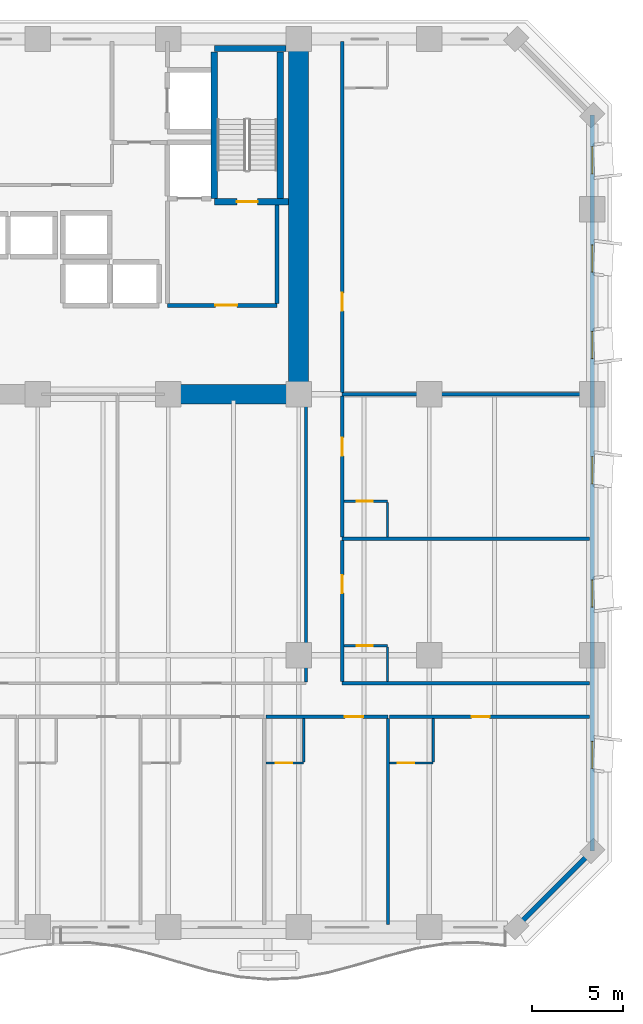
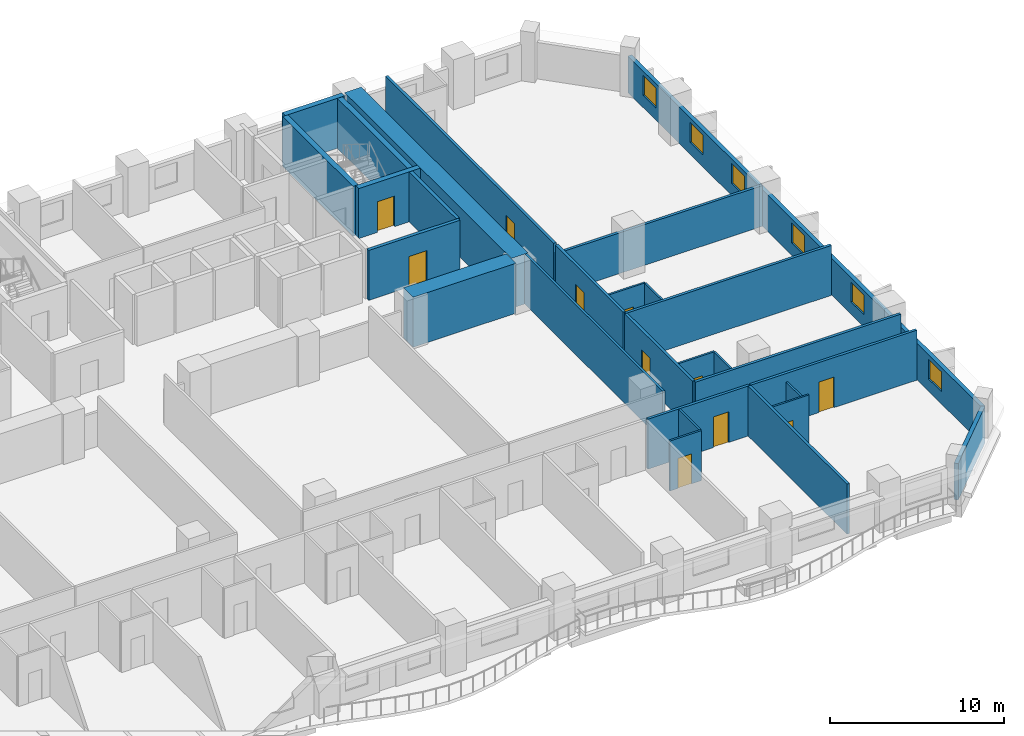
# One storey, part 10 of 15: 28 walls, 11 doors, 6 windows, 17 openings.
"""IFC4 building model written with IfcOpenShell, lengths in metres."""

from ifc_helpers import new_model, si_unit, direction, frame, frame_2d, origin, place, context, subcontext, project, spatial, rectangle, extrude, material, layer, layer_set, type_object, element, fill, save


model = new_model("IFC4")

# Units and contexts
model_context = context("Model", 3, precision=1e-05, world=origin(), true_north=direction((0.0, 1.0)))
body_context = subcontext(model_context, "Body", "Model", "MODEL_VIEW")
ifc_project = project(units=[si_unit("LENGTHUNIT", "METRE"), si_unit("AREAUNIT", "SQUARE_METRE"), si_unit("VOLUMEUNIT", "CUBIC_METRE"), si_unit("PLANEANGLEUNIT", "RADIAN"), si_unit("MASSUNIT", "GRAM", prefix="KILO")], contexts=[model_context])

# Site, building, storey
site_placement = place(None, origin())
site = spatial("IfcSite", under=ifc_project, at=site_placement, CompositionType="ELEMENT")
building_placement = place(site_placement, origin())
building = spatial("IfcBuilding", under=site, at=building_placement, Name="Kaelvorn Grand Hotel", CompositionType="ELEMENT")
storey_placement = place(building_placement, frame((0.0, 0.0, 57.64990234375)))
storey = spatial("IfcBuildingStorey", under=building, at=storey_placement, Name="L12", CompositionType="ELEMENT", Elevation=57.64990234375)

# Walls
ifc_material_1 = material(Name="Concrete C80/95", Category="concrete")
ifc_layer_1 = layer(ifc_material_1, 1.10009765625)
ifc_layer_set_1 = layer_set([ifc_layer_1], Name="Concrete C80/95")
wall_type_1 = type_object("IfcWallType", Name="WL-CORE-1100-C80", PredefinedType="SHEAR", material=ifc_layer_set_1)
wall_1_placement = place(storey_placement, frame((67.800048828125, 29.39990234375, 0.0), z_axis=(0.0, 0.0, 1.0), x_axis=(0.0, 1.0, 0.0)))
element("IfcWall", 1, at=wall_1_placement, inside=storey, type_object=wall_type_1, Name="L12 Rear-Core East Shear Wall", PredefinedType="SHEAR", context=body_context, shape_type="SweptSolid", body=[
    extrude(rectangle(XDim=19.2001953125, YDim=1.10009765625, at=frame_2d((9.60009765625, 0.0))), origin(), (0.0, 0.0, 1.0), 3.510009765625),
])
wall_2_placement = place(storey_placement, frame((60.39990234375, 29.39990234375, 0.0), z_axis=(0.0, 0.0, 1.0), x_axis=(1.0, 0.0, 0.0)))
element("IfcWall", 2, at=wall_2_placement, inside=storey, type_object=wall_type_1, Name="L12 Rear-Core Coupled Shear Pier S4", PredefinedType="SHEAR", context=body_context, shape_type="SweptSolid", body=[
    extrude(rectangle(XDim=6.84521484375, YDim=1.10009765625, at=frame_2d((3.422607421875, 0.0))), origin(), (0.0, 0.0, 1.0), 3.510009765625),
])
ifc_material_2 = material(Name="Concrete C40/50", Category="concrete")
ifc_layer_2 = layer(ifc_material_2, 0.260009765625)
ifc_layer_set_2 = layer_set([ifc_layer_2], Name="Concrete C40/50")
wall_type_2 = type_object("IfcWallType", Name="WL-EXT-260-C40", PredefinedType="SOLIDWALL", material=ifc_layer_set_2)
wall_3_placement = place(storey_placement, frame((79.800048828125, 0.0, 0.0), z_axis=(0.0, 0.0, 1.0), x_axis=(0.707106781187, 0.707106781187, 0.0)))
element("IfcWall", 3, at=wall_3_placement, inside=storey, type_object=wall_type_2, Name="L12 Exterior Architectural Concrete Wall 02", PredefinedType="SOLIDWALL", context=body_context, shape_type="SweptSolid", body=[
    extrude(rectangle(XDim=5.939697265625, YDim=0.260009765625, at=frame_2d((2.9697265625, 0.0))), origin(), (0.0, 0.0, 1.0), 2.56005859375),
])

# Wall, openings, windows
wall_4_placement = place(storey_placement, frame((84.0, 4.199951171875, 0.0), z_axis=(0.0, 0.0, 1.0), x_axis=(0.0, 1.0, 0.0)))
wall_4 = element("IfcWall", 4, at=wall_4_placement, inside=storey, type_object=wall_type_2, Name="L12 Exterior Architectural Concrete Wall 03", PredefinedType="SOLIDWALL", context=body_context, shape_type="SweptSolid", body=[
    extrude(rectangle(XDim=40.60009765625, YDim=0.260009765625, at=frame_2d((20.300048828125, 0.0))), origin(), (0.0, 0.0, 1.0), 2.56005859375),
])
opening_1_placement = place(wall_4_placement, frame((4.550048828125, 0.0, 0.85009765625)))
opening_1 = element("IfcOpeningElement", 5, at=opening_1_placement, cuts=wall_4, Name="Opening W10", PredefinedType="OPENING", context=body_context, shape_type="SweptSolid", body=[
    extrude(rectangle(XDim=1.5, YDim=1.39990234375, at=frame_2d((0.75, 0.699951171875))), frame((0.0, 0.14013671875, 0.0), z_axis=(0.0, -1.0, 0.0), x_axis=(1.0, 0.0, 0.0)), (0.0, 0.0, 1.0), 0.280029296875),
])
opening_2_placement = place(wall_4_placement, frame((13.4599609375, 0.0, 0.85009765625)))
opening_2 = element("IfcOpeningElement", 6, at=opening_2_placement, cuts=wall_4, Name="Opening W10", PredefinedType="OPENING", context=body_context, shape_type="SweptSolid", body=[
    extrude(rectangle(XDim=1.5, YDim=1.39990234375, at=frame_2d((0.75, 0.699951171875))), frame((0.0, 0.14013671875, 0.0), z_axis=(0.0, -1.0, 0.0), x_axis=(1.0, 0.0, 0.0)), (0.0, 0.0, 1.0), 0.280029296875),
])
opening_3_placement = place(wall_4_placement, frame((20.260009765625, 0.0, 0.85009765625)))
opening_3 = element("IfcOpeningElement", 7, at=opening_3_placement, cuts=wall_4, Name="Opening W10", PredefinedType="OPENING", context=body_context, shape_type="SweptSolid", body=[
    extrude(rectangle(XDim=1.5, YDim=1.39990234375, at=frame_2d((0.75, 0.699951171875))), frame((0.0, 0.14013671875, 0.0), z_axis=(0.0, -1.0, 0.0), x_axis=(1.0, 0.0, 0.0)), (0.0, 0.0, 1.0), 0.280029296875),
])
opening_4_placement = place(wall_4_placement, frame((27.1650390625, 0.0, 0.85009765625)))
opening_4 = element("IfcOpeningElement", 8, at=opening_4_placement, cuts=wall_4, Name="Opening W10", PredefinedType="OPENING", context=body_context, shape_type="SweptSolid", body=[
    extrude(rectangle(XDim=1.5, YDim=1.39990234375, at=frame_2d((0.75, 0.699951171875))), frame((0.0, 0.14013671875, 0.0), z_axis=(0.0, -1.0, 0.0), x_axis=(1.0, 0.0, 0.0)), (0.0, 0.0, 1.0), 0.280029296875),
])
opening_5_placement = place(wall_4_placement, frame((31.93505859375, 0.0, 0.85009765625)))
opening_5 = element("IfcOpeningElement", 9, at=opening_5_placement, cuts=wall_4, Name="Opening W10", PredefinedType="OPENING", context=body_context, shape_type="SweptSolid", body=[
    extrude(rectangle(XDim=1.5, YDim=1.39990234375, at=frame_2d((0.75, 0.699951171875))), frame((0.0, 0.14013671875, 0.0), z_axis=(0.0, -1.0, 0.0), x_axis=(1.0, 0.0, 0.0)), (0.0, 0.0, 1.0), 0.280029296875),
])
opening_6_placement = place(wall_4_placement, frame((37.364990234375, 0.0, 0.85009765625)))
opening_6 = element("IfcOpeningElement", 10, at=opening_6_placement, cuts=wall_4, Name="Opening W10", PredefinedType="OPENING", context=body_context, shape_type="SweptSolid", body=[
    extrude(rectangle(XDim=1.5, YDim=1.39990234375, at=frame_2d((0.75, 0.699951171875))), frame((0.0, 0.14013671875, 0.0), z_axis=(0.0, -1.0, 0.0), x_axis=(1.0, 0.0, 0.0)), (0.0, 0.0, 1.0), 0.280029296875),
])
ifc_material_3 = material(Name="Laminated Low-E Glass", Category="glass")
window_type = type_object("IfcWindowType", Name="WIN-COR-1500x1400", PartitioningType="SINGLE_PANEL", PredefinedType="WINDOW", material=ifc_material_3)
window_1_placement = place(opening_1_placement, origin())
window_1 = element("IfcWindow", 11, at=window_1_placement, inside=storey, type_object=window_type, Name="L12 E Wing Tilted-Frame Ribbon Window E01", OverallHeight=1.39990234375, OverallWidth=1.5, PartitioningType="SINGLE_PANEL", PredefinedType="WINDOW", context=body_context, shape_type="SweptSolid", body=[
    extrude(rectangle(XDim=1.5, YDim=1.39990234375, at=frame_2d((0.75, 0.699951171875))), frame((0.0, 0.030029296875, 0.0), z_axis=(0.0, -1.0, 0.0), x_axis=(1.0, 0.0, 0.0)), (0.0, 0.0, 1.0), 0.06005859375),
])
fill(opening_1, window_1)
window_2_placement = place(opening_2_placement, origin())
window_2 = element("IfcWindow", 12, at=window_2_placement, inside=storey, type_object=window_type, Name="L12 E Wing Tilted-Frame Ribbon Window E02", OverallHeight=1.39990234375, OverallWidth=1.5, PartitioningType="SINGLE_PANEL", PredefinedType="WINDOW", context=body_context, shape_type="SweptSolid", body=[
    extrude(rectangle(XDim=1.5, YDim=1.39990234375, at=frame_2d((0.75, 0.699951171875))), frame((0.0, 0.030029296875, 0.0), z_axis=(0.0, -1.0, 0.0), x_axis=(1.0, 0.0, 0.0)), (0.0, 0.0, 1.0), 0.06005859375),
])
fill(opening_2, window_2)
window_3_placement = place(opening_3_placement, origin())
window_3 = element("IfcWindow", 13, at=window_3_placement, inside=storey, type_object=window_type, Name="L12 E Wing Tilted-Frame Ribbon Window E03", OverallHeight=1.39990234375, OverallWidth=1.5, PartitioningType="SINGLE_PANEL", PredefinedType="WINDOW", context=body_context, shape_type="SweptSolid", body=[
    extrude(rectangle(XDim=1.5, YDim=1.39990234375, at=frame_2d((0.75, 0.699951171875))), frame((0.0, 0.030029296875, 0.0), z_axis=(0.0, -1.0, 0.0), x_axis=(1.0, 0.0, 0.0)), (0.0, 0.0, 1.0), 0.06005859375),
])
fill(opening_3, window_3)
window_4_placement = place(opening_4_placement, origin())
window_4 = element("IfcWindow", 14, at=window_4_placement, inside=storey, type_object=window_type, Name="L12 E Wing Tilted-Frame Ribbon Window E04", OverallHeight=1.39990234375, OverallWidth=1.5, PartitioningType="SINGLE_PANEL", PredefinedType="WINDOW", context=body_context, shape_type="SweptSolid", body=[
    extrude(rectangle(XDim=1.5, YDim=1.39990234375, at=frame_2d((0.75, 0.699951171875))), frame((0.0, 0.030029296875, 0.0), z_axis=(0.0, -1.0, 0.0), x_axis=(1.0, 0.0, 0.0)), (0.0, 0.0, 1.0), 0.06005859375),
])
fill(opening_4, window_4)
window_5_placement = place(opening_5_placement, origin())
window_5 = element("IfcWindow", 15, at=window_5_placement, inside=storey, type_object=window_type, Name="L12 E Wing Tilted-Frame Ribbon Window E05", OverallHeight=1.39990234375, OverallWidth=1.5, PartitioningType="SINGLE_PANEL", PredefinedType="WINDOW", context=body_context, shape_type="SweptSolid", body=[
    extrude(rectangle(XDim=1.5, YDim=1.39990234375, at=frame_2d((0.75, 0.699951171875))), frame((0.0, 0.030029296875, 0.0), z_axis=(0.0, -1.0, 0.0), x_axis=(1.0, 0.0, 0.0)), (0.0, 0.0, 1.0), 0.06005859375),
])
fill(opening_5, window_5)
window_6_placement = place(opening_6_placement, origin())
window_6 = element("IfcWindow", 16, at=window_6_placement, inside=storey, type_object=window_type, Name="L12 E Wing Tilted-Frame Ribbon Window E06", OverallHeight=1.39990234375, OverallWidth=1.5, PartitioningType="SINGLE_PANEL", PredefinedType="WINDOW", context=body_context, shape_type="SweptSolid", body=[
    extrude(rectangle(XDim=1.5, YDim=1.39990234375, at=frame_2d((0.75, 0.699951171875))), frame((0.0, 0.030029296875, 0.0), z_axis=(0.0, -1.0, 0.0), x_axis=(1.0, 0.0, 0.0)), (0.0, 0.0, 1.0), 0.06005859375),
])
fill(opening_6, window_6)

# Wall, opening, door
ifc_material_4 = material(Name="Moisture-Resistant Tile & Stud Board")
ifc_layer_3 = layer(ifc_material_4, 0.125)
ifc_layer_set_3 = layer_set([ifc_layer_3], Name="Moisture-Resistant Tile & Stud Board")
wall_type_3 = type_object("IfcWallType", Name="WL-PART-125-WET", PredefinedType="PARTITIONING", material=ifc_layer_set_3)
wall_5_placement = place(storey_placement, frame((65.990478515625, 9.050048828125, 0.0), z_axis=(0.0, 0.0, 1.0), x_axis=(1.0, 0.0, 0.0)))
wall_5 = element("IfcWall", 17, at=wall_5_placement, inside=storey, type_object=wall_type_3, Name="L12 En-suite Bathroom L12-10 S Partition", PredefinedType="PARTITIONING", context=body_context, shape_type="SweptSolid", body=[
    extrude(rectangle(XDim=2.0849609375, YDim=0.125, at=frame_2d((1.04248046875, 0.0))), origin(), (0.0, 0.0, 1.0), 3.510009765625),
])
opening_7_placement = place(wall_5_placement, frame((0.544921875, 0.0, 0.0)))
opening_7 = element("IfcOpeningElement", 18, at=opening_7_placement, cuts=wall_5, Name="Opening DI4", PredefinedType="OPENING", context=body_context, shape_type="SweptSolid", body=[
    extrude(rectangle(XDim=0.89990234375, YDim=2.10009765625, at=frame_2d((0.449951171875, 1.050048828125))), frame((0.0, 0.072509765625, 0.0), z_axis=(0.0, -1.0, 0.0), x_axis=(1.0, 0.0, 0.0)), (0.0, 0.0, 1.0), 0.14501953125),
])
ifc_material_5 = material(Name="Timber Veneer Leaf", Category="wood")
door_type_1 = type_object("IfcDoorType", Name="DR-INT-BATH-900x2100", OperationType="NOTDEFINED", PredefinedType="DOOR", material=ifc_material_5)
door_1_placement = place(opening_7_placement, origin())
door_1 = element("IfcDoor", 19, at=door_1_placement, inside=storey, type_object=door_type_1, Name="L12 En-suite Bathroom L12-10 Door", OperationType="SINGLE_SWING_LEFT", OverallHeight=2.10009765625, OverallWidth=0.89990234375, PredefinedType="DOOR", context=body_context, shape_type="SweptSolid", body=[
    extrude(rectangle(XDim=0.89990234375, YDim=2.10009765625, at=frame_2d((0.449951171875, 1.050048828125))), frame((0.0, 0.02490234375, 0.0), z_axis=(0.0, -1.0, 0.0), x_axis=(1.0, 0.0, 0.0)), (0.0, 0.0, 1.0), 0.050048828125),
])
fill(opening_7, door_1)

# Wall
wall_6_placement = place(storey_placement, frame((68.075439453125, 9.117431640625, 0.0), z_axis=(0.0, 0.0, 1.0), x_axis=(0.0, 1.0, 0.0)))
element("IfcWall", 20, at=wall_6_placement, inside=storey, type_object=wall_type_3, Name="L12 En-suite Bathroom L12-10 E Partition", PredefinedType="PARTITIONING", context=body_context, shape_type="SweptSolid", body=[
    extrude(rectangle(XDim=2.387451171875, YDim=0.125, at=frame_2d((1.19384765625, 0.0))), origin(), (0.0, 0.0, 1.0), 3.510009765625),
])

# Wall, opening, door
wall_7_placement = place(storey_placement, frame((72.817626953125, 9.050048828125, 0.0), z_axis=(0.0, 0.0, 1.0), x_axis=(1.0, 0.0, 0.0)))
wall_7 = element("IfcWall", 21, at=wall_7_placement, inside=storey, type_object=wall_type_3, Name="L12 En-suite Bathroom L12-11 S Partition", PredefinedType="PARTITIONING", context=body_context, shape_type="SweptSolid", body=[
    extrude(rectangle(XDim=2.405029296875, YDim=0.125, at=frame_2d((1.20263671875, 0.0))), origin(), (0.0, 0.0, 1.0), 3.510009765625),
])
opening_8_placement = place(wall_7_placement, frame((0.455078125, 0.0, 0.0)))
opening_8 = element("IfcOpeningElement", 22, at=opening_8_placement, cuts=wall_7, Name="Opening DI4", PredefinedType="OPENING", context=body_context, shape_type="SweptSolid", body=[
    extrude(rectangle(XDim=0.89990234375, YDim=2.10009765625, at=frame_2d((0.449951171875, 1.050048828125))), frame((0.0, 0.072509765625, 0.0), z_axis=(0.0, -1.0, 0.0), x_axis=(1.0, 0.0, 0.0)), (0.0, 0.0, 1.0), 0.14501953125),
])
door_2_placement = place(opening_8_placement, origin())
door_2 = element("IfcDoor", 23, at=door_2_placement, inside=storey, type_object=door_type_1, Name="L12 En-suite Bathroom L12-11 Door", OperationType="SINGLE_SWING_LEFT", OverallHeight=2.10009765625, OverallWidth=0.89990234375, PredefinedType="DOOR", context=body_context, shape_type="SweptSolid", body=[
    extrude(rectangle(XDim=0.89990234375, YDim=2.10009765625, at=frame_2d((0.449951171875, 1.050048828125))), frame((0.0, 0.02490234375, 0.0), z_axis=(0.0, -1.0, 0.0), x_axis=(1.0, 0.0, 0.0)), (0.0, 0.0, 1.0), 0.050048828125),
])
fill(opening_8, door_2)

# Wall
wall_8_placement = place(storey_placement, frame((75.22265625, 9.117431640625, 0.0), z_axis=(0.0, 0.0, 1.0), x_axis=(0.0, 1.0, 0.0)))
element("IfcWall", 24, at=wall_8_placement, inside=storey, type_object=wall_type_3, Name="L12 En-suite Bathroom L12-11 E Partition", PredefinedType="PARTITIONING", context=body_context, shape_type="SweptSolid", body=[
    extrude(rectangle(XDim=2.387451171875, YDim=0.125, at=frame_2d((1.19384765625, 0.0))), origin(), (0.0, 0.0, 1.0), 2.89794921875),
])

# Wall, opening, door
wall_9_placement = place(storey_placement, frame((70.294921875, 15.52001953125, 0.0), z_axis=(0.0, 0.0, 1.0), x_axis=(1.0, 0.0, 0.0)))
wall_9 = element("IfcWall", 25, at=wall_9_placement, inside=storey, type_object=wall_type_3, Name="L12 En-suite Bathroom L12-14 N Partition", PredefinedType="PARTITIONING", context=body_context, shape_type="SweptSolid", body=[
    extrude(rectangle(XDim=2.405029296875, YDim=0.125, at=frame_2d((1.20263671875, 0.0))), origin(), (0.0, 0.0, 1.0), 3.510009765625),
])
opening_9_placement = place(wall_9_placement, frame((0.705078125, 0.0, 0.0)))
opening_9 = element("IfcOpeningElement", 26, at=opening_9_placement, cuts=wall_9, Name="Opening DI4", PredefinedType="OPENING", context=body_context, shape_type="SweptSolid", body=[
    extrude(rectangle(XDim=0.89990234375, YDim=2.10009765625, at=frame_2d((0.449951171875, 1.050048828125))), frame((0.0, 0.072509765625, 0.0), z_axis=(0.0, -1.0, 0.0), x_axis=(1.0, 0.0, 0.0)), (0.0, 0.0, 1.0), 0.14501953125),
])
door_3_placement = place(opening_9_placement, origin())
door_3 = element("IfcDoor", 27, at=door_3_placement, inside=storey, type_object=door_type_1, Name="L12 En-suite Bathroom L12-14 Door", OperationType="SINGLE_SWING_LEFT", OverallHeight=2.10009765625, OverallWidth=0.89990234375, PredefinedType="DOOR", context=body_context, shape_type="SweptSolid", body=[
    extrude(rectangle(XDim=0.89990234375, YDim=2.10009765625, at=frame_2d((0.449951171875, 1.050048828125))), frame((0.0, 0.02490234375, 0.0), z_axis=(0.0, -1.0, 0.0), x_axis=(1.0, 0.0, 0.0)), (0.0, 0.0, 1.0), 0.050048828125),
])
fill(opening_9, door_3)

# Wall
wall_10_placement = place(storey_placement, frame((72.699951171875, 13.544921875, 0.0), z_axis=(0.0, 0.0, 1.0), x_axis=(0.0, 1.0, 0.0)))
element("IfcWall", 28, at=wall_10_placement, inside=storey, type_object=wall_type_3, Name="L12 En-suite Bathroom L12-14 E Partition", PredefinedType="PARTITIONING", context=body_context, shape_type="SweptSolid", body=[
    extrude(rectangle(XDim=1.907470703125, YDim=0.125, at=frame_2d((0.95361328125, 0.0))), origin(), (0.0, 0.0, 1.0), 3.510009765625),
])

# Wall, opening, door
wall_11_placement = place(storey_placement, frame((70.294921875, 23.489990234375, 0.0), z_axis=(0.0, 0.0, 1.0), x_axis=(1.0, 0.0, 0.0)))
wall_11 = element("IfcWall", 29, at=wall_11_placement, inside=storey, type_object=wall_type_3, Name="L12 En-suite Bathroom L12-15 N Partition", PredefinedType="PARTITIONING", context=body_context, shape_type="SweptSolid", body=[
    extrude(rectangle(XDim=2.405029296875, YDim=0.125, at=frame_2d((1.20263671875, 0.0))), origin(), (0.0, 0.0, 1.0), 3.510009765625),
])
opening_10_placement = place(wall_11_placement, frame((0.705078125, 0.0, 0.0)))
opening_10 = element("IfcOpeningElement", 30, at=opening_10_placement, cuts=wall_11, Name="Opening DI4", PredefinedType="OPENING", context=body_context, shape_type="SweptSolid", body=[
    extrude(rectangle(XDim=0.89990234375, YDim=2.10009765625, at=frame_2d((0.449951171875, 1.050048828125))), frame((0.0, 0.072509765625, 0.0), z_axis=(0.0, -1.0, 0.0), x_axis=(1.0, 0.0, 0.0)), (0.0, 0.0, 1.0), 0.14501953125),
])
door_4_placement = place(opening_10_placement, origin())
door_4 = element("IfcDoor", 31, at=door_4_placement, inside=storey, type_object=door_type_1, Name="L12 En-suite Bathroom L12-15 Door", OperationType="SINGLE_SWING_LEFT", OverallHeight=2.10009765625, OverallWidth=0.89990234375, PredefinedType="DOOR", context=body_context, shape_type="SweptSolid", body=[
    extrude(rectangle(XDim=0.89990234375, YDim=2.10009765625, at=frame_2d((0.449951171875, 1.050048828125))), frame((0.0, 0.02490234375, 0.0), z_axis=(0.0, -1.0, 0.0), x_axis=(1.0, 0.0, 0.0)), (0.0, 0.0, 1.0), 0.050048828125),
])
fill(opening_10, door_4)

# Walls
wall_12_placement = place(storey_placement, frame((72.699951171875, 21.514892578125, 0.0), z_axis=(0.0, 0.0, 1.0), x_axis=(0.0, 1.0, 0.0)))
element("IfcWall", 32, at=wall_12_placement, inside=storey, type_object=wall_type_3, Name="L12 En-suite Bathroom L12-15 E Partition", PredefinedType="PARTITIONING", context=body_context, shape_type="SweptSolid", body=[
    extrude(rectangle(XDim=1.90771484375, YDim=0.125, at=frame_2d((0.953857421875, 0.0))), origin(), (0.0, 0.0, 1.0), 3.510009765625),
])
ifc_material_6 = material(Name="Acoustic Gypsum & Stud Partition")
ifc_layer_4 = layer(ifc_material_6, 0.14990234375)
ifc_layer_set_4 = layer_set([ifc_layer_4], Name="Acoustic Gypsum & Stud Partition")
wall_type_4 = type_object("IfcWallType", Name="WL-PART-150-EI60", PredefinedType="PARTITIONING", material=ifc_layer_set_4)
wall_13_placement = place(storey_placement, frame((68.199951171875, 13.530029296875, 0.0), z_axis=(0.0, 0.0, 1.0), x_axis=(0.0, 1.0, 0.0)))
element("IfcWall", 33, at=wall_13_placement, inside=storey, type_object=wall_type_4, Name="L12 Concierge Admin Office E Partition", PredefinedType="PARTITIONING", context=body_context, shape_type="SweptSolid", body=[
    extrude(rectangle(XDim=15.85986328125, YDim=0.14990234375, at=frame_2d((7.929931640625, 0.0))), origin(), (0.0, 0.0, 1.0), 3.510009765625),
])

# Wall, opening, door
ifc_layer_5 = layer(ifc_material_6, 0.179931640625)
ifc_layer_set_5 = layer_set([ifc_layer_5], Name="Acoustic Gypsum & Stud Partition")
wall_type_5 = type_object("IfcWallType", Name="WL-PART-180-EI60", PredefinedType="PARTITIONING", material=ifc_layer_set_5)
wall_14_placement = place(storey_placement, frame((65.990478515625, 11.60009765625, 0.0), z_axis=(0.0, 0.0, 1.0), x_axis=(1.0, 0.0, 0.0)))
wall_14 = element("IfcWall", 34, at=wall_14_placement, inside=storey, type_object=wall_type_5, Name="L12 Deluxe Panoramic Suite L12-10 N Partition", PredefinedType="PARTITIONING", context=body_context, shape_type="SweptSolid", body=[
    extrude(rectangle(XDim=6.732177734375, YDim=0.179931640625, at=frame_2d((3.3662109375, 0.0))), origin(), (0.0, 0.0, 1.0), 3.510009765625),
])
opening_11_placement = place(wall_14_placement, frame((4.358642578125, 0.0, 0.0)))
opening_11 = element("IfcOpeningElement", 35, at=opening_11_placement, cuts=wall_14, Name="Opening DI3", PredefinedType="OPENING", context=body_context, shape_type="SweptSolid", body=[
    extrude(rectangle(XDim=1.0, YDim=2.14990234375, at=frame_2d((0.5, 1.074951171875))), frame((0.0, 0.10009765625, 0.0), z_axis=(0.0, -1.0, 0.0), x_axis=(1.0, 0.0, 0.0)), (0.0, 0.0, 1.0), 0.199951171875),
])
ifc_material_7 = material(Name="Timber Veneer Fire Leaf", Category="wood")
door_type_2 = type_object("IfcDoorType", Name="DR-INT-GUEST-1000x2150", OperationType="NOTDEFINED", PredefinedType="DOOR", material=ifc_material_7)
door_5_placement = place(opening_11_placement, origin())
door_5 = element("IfcDoor", 36, at=door_5_placement, inside=storey, type_object=door_type_2, Name="L12 Deluxe Panoramic Suite L12-10 Door", OperationType="SINGLE_SWING_RIGHT", OverallHeight=2.14990234375, OverallWidth=1.0, PredefinedType="DOOR", context=body_context, shape_type="SweptSolid", body=[
    extrude(rectangle(XDim=1.0, YDim=2.14990234375, at=frame_2d((0.5, 1.074951171875))), frame((0.0, 0.02490234375, 0.0), z_axis=(0.0, -1.0, 0.0), x_axis=(1.0, 0.0, 0.0)), (0.0, 0.0, 1.0), 0.050048828125),
])
fill(opening_11, door_5)

# Wall
wall_15_placement = place(storey_placement, frame((72.72265625, 0.14990234375, 0.0), z_axis=(0.0, 0.0, 1.0), x_axis=(0.0, 1.0, 0.0)))
element("IfcWall", 37, at=wall_15_placement, inside=storey, type_object=wall_type_5, Name="L12 Deluxe Panoramic Suite L12-10 E Partition", PredefinedType="PARTITIONING", context=body_context, shape_type="SweptSolid", body=[
    extrude(rectangle(XDim=11.35498046875, YDim=0.179931640625, at=frame_2d((5.677490234375, 0.0))), origin(), (0.0, 0.0, 1.0), 3.510009765625),
])

# Wall, opening, door
wall_16_placement = place(storey_placement, frame((72.817626953125, 11.60009765625, 0.0), z_axis=(0.0, 0.0, 1.0), x_axis=(1.0, 0.0, 0.0)))
wall_16 = element("IfcWall", 38, at=wall_16_placement, inside=storey, type_object=wall_type_5, Name="L12 Deluxe Panoramic Suite L12-11 N Partition", PredefinedType="PARTITIONING", context=body_context, shape_type="SweptSolid", body=[
    extrude(rectangle(XDim=11.032470703125, YDim=0.179931640625, at=frame_2d((5.51611328125, 0.0))), origin(), (0.0, 0.0, 1.0), 3.510009765625),
])
opening_12_placement = place(wall_16_placement, frame((4.5185546875, 0.0, 0.0)))
opening_12 = element("IfcOpeningElement", 39, at=opening_12_placement, cuts=wall_16, Name="Opening DI3", PredefinedType="OPENING", context=body_context, shape_type="SweptSolid", body=[
    extrude(rectangle(XDim=1.0, YDim=2.14990234375, at=frame_2d((0.5, 1.074951171875))), frame((0.0, 0.10009765625, 0.0), z_axis=(0.0, -1.0, 0.0), x_axis=(1.0, 0.0, 0.0)), (0.0, 0.0, 1.0), 0.199951171875),
])
door_6_placement = place(opening_12_placement, origin())
door_6 = element("IfcDoor", 40, at=door_6_placement, inside=storey, type_object=door_type_2, Name="L12 Deluxe Panoramic Suite L12-11 Door", OperationType="SINGLE_SWING_RIGHT", OverallHeight=2.14990234375, OverallWidth=1.0, PredefinedType="DOOR", context=body_context, shape_type="SweptSolid", body=[
    extrude(rectangle(XDim=1.0, YDim=2.14990234375, at=frame_2d((0.5, 1.074951171875))), frame((0.0, 0.02490234375, 0.0), z_axis=(0.0, -1.0, 0.0), x_axis=(1.0, 0.0, 0.0)), (0.0, 0.0, 1.0), 0.050048828125),
])
fill(opening_12, door_6)

# Walls
for number, where, z_axis, x_axis, name in (
    (41, (70.199951171875, 13.449951171875, 0.0), (0.0, 0.0, 1.0), (1.0, 0.0, 0.0), "L12 East Wing Panoramic Suite L12-14 S Partition"),
    (42, (70.199951171875, 21.419921875, 0.0), (0.0, 0.0, 1.0), (1.0, 0.0, 0.0), "L12 East Wing Panoramic Suite L12-14 N Partition"),
):
    element("IfcWall", number, at=place(storey_placement, frame(where, z_axis=z_axis, x_axis=x_axis)), inside=storey, type_object=wall_type_5, Name=name, PredefinedType="PARTITIONING", context=body_context, shape_type="SweptSolid", body=[
        extrude(rectangle(XDim=13.650146484375, YDim=0.179931640625, at=frame_2d((6.8251953125, 0.0))), origin(), (0.0, 0.0, 1.0), 3.510009765625),
    ])

# Wall, opening, door
wall_17_placement = place(storey_placement, frame((70.199951171875, 13.544921875, 0.0), z_axis=(0.0, 0.0, 1.0), x_axis=(0.0, 1.0, 0.0)))
wall_17 = element("IfcWall", 43, at=wall_17_placement, inside=storey, type_object=wall_type_5, Name="L12 East Wing Panoramic Suite L12-14 W Partition", PredefinedType="PARTITIONING", context=body_context, shape_type="SweptSolid", body=[
    extrude(rectangle(XDim=7.780029296875, YDim=0.179931640625, at=frame_2d((3.89013671875, 0.0))), origin(), (0.0, 0.0, 1.0), 3.510009765625),
])
opening_13_placement = place(wall_17_placement, frame((4.875, 0.0, 0.0)))
opening_13 = element("IfcOpeningElement", 44, at=opening_13_placement, cuts=wall_17, Name="Opening DI3", PredefinedType="OPENING", context=body_context, shape_type="SweptSolid", body=[
    extrude(rectangle(XDim=1.0, YDim=2.14990234375, at=frame_2d((0.5, 1.074951171875))), frame((0.0, 0.10009765625, 0.0), z_axis=(0.0, -1.0, 0.0), x_axis=(1.0, 0.0, 0.0)), (0.0, 0.0, 1.0), 0.199951171875),
])
door_7_placement = place(opening_13_placement, origin())
door_7 = element("IfcDoor", 45, at=door_7_placement, inside=storey, type_object=door_type_2, Name="L12 East Wing Panoramic Suite L12-14 Door", OperationType="SINGLE_SWING_RIGHT", OverallHeight=2.14990234375, OverallWidth=1.0, PredefinedType="DOOR", context=body_context, shape_type="SweptSolid", body=[
    extrude(rectangle(XDim=1.0, YDim=2.14990234375, at=frame_2d((0.5, 1.074951171875))), frame((0.0, 0.02490234375, 0.0), z_axis=(0.0, -1.0, 0.0), x_axis=(1.0, 0.0, 0.0)), (0.0, 0.0, 1.0), 0.050048828125),
])
fill(opening_13, door_7)

# Wall
wall_18_placement = place(storey_placement, frame((70.199951171875, 29.39990234375, 0.0), z_axis=(0.0, 0.0, 1.0), x_axis=(1.0, 0.0, 0.0)))
element("IfcWall", 46, at=wall_18_placement, inside=storey, type_object=wall_type_5, Name="L12 East Mid-Wing Suite L12-15 N Partition", PredefinedType="PARTITIONING", context=body_context, shape_type="SweptSolid", body=[
    extrude(rectangle(XDim=13.650146484375, YDim=0.179931640625, at=frame_2d((6.8251953125, 0.0))), origin(), (0.0, 0.0, 1.0), 2.860107421875),
])

# Wall, opening, door
wall_19_placement = place(storey_placement, frame((70.199951171875, 21.514892578125, 0.0), z_axis=(0.0, 0.0, 1.0), x_axis=(0.0, 1.0, 0.0)))
wall_19 = element("IfcWall", 47, at=wall_19_placement, inside=storey, type_object=wall_type_5, Name="L12 East Mid-Wing Suite L12-15 W Partition", PredefinedType="PARTITIONING", context=body_context, shape_type="SweptSolid", body=[
    extrude(rectangle(XDim=7.7900390625, YDim=0.179931640625, at=frame_2d((3.89501953125, 0.0))), origin(), (0.0, 0.0, 1.0), 3.510009765625),
])
opening_14_placement = place(wall_19_placement, frame((4.489990234375, 0.0, 0.0)))
opening_14 = element("IfcOpeningElement", 48, at=opening_14_placement, cuts=wall_19, Name="Opening DI3", PredefinedType="OPENING", context=body_context, shape_type="SweptSolid", body=[
    extrude(rectangle(XDim=1.0, YDim=2.14990234375, at=frame_2d((0.5, 1.074951171875))), frame((0.0, 0.10009765625, 0.0), z_axis=(0.0, -1.0, 0.0), x_axis=(1.0, 0.0, 0.0)), (0.0, 0.0, 1.0), 0.199951171875),
])
door_8_placement = place(opening_14_placement, origin())
door_8 = element("IfcDoor", 49, at=door_8_placement, inside=storey, type_object=door_type_2, Name="L12 East Mid-Wing Suite L12-15 Door", OperationType="SINGLE_SWING_RIGHT", OverallHeight=2.14990234375, OverallWidth=1.0, PredefinedType="DOOR", context=body_context, shape_type="SweptSolid", body=[
    extrude(rectangle(XDim=1.0, YDim=2.14990234375, at=frame_2d((0.5, 1.074951171875))), frame((0.0, 0.02490234375, 0.0), z_axis=(0.0, -1.0, 0.0), x_axis=(1.0, 0.0, 0.0)), (0.0, 0.0, 1.0), 0.050048828125),
])
fill(opening_14, door_8)

wall_20_placement = place(storey_placement, frame((70.199951171875, 29.4951171875, 0.0), z_axis=(0.0, 0.0, 1.0), x_axis=(0.0, 1.0, 0.0)))
wall_20 = element("IfcWall", 50, at=wall_20_placement, inside=storey, type_object=wall_type_5, Name="L12 Presidential Sky Suite L12-16 W Partition", PredefinedType="PARTITIONING", context=body_context, shape_type="SweptSolid", body=[
    extrude(rectangle(XDim=19.35498046875, YDim=0.179931640625, at=frame_2d((9.677490234375, 0.0))), origin(), (0.0, 0.0, 1.0), 3.510009765625),
])
opening_15_placement = place(wall_20_placement, frame((4.5048828125, 0.0, 0.0)))
opening_15 = element("IfcOpeningElement", 51, at=opening_15_placement, cuts=wall_20, Name="Opening DI3", PredefinedType="OPENING", context=body_context, shape_type="SweptSolid", body=[
    extrude(rectangle(XDim=1.0, YDim=2.14990234375, at=frame_2d((0.5, 1.074951171875))), frame((0.0, 0.10009765625, 0.0), z_axis=(0.0, -1.0, 0.0), x_axis=(1.0, 0.0, 0.0)), (0.0, 0.0, 1.0), 0.199951171875),
])
door_9_placement = place(opening_15_placement, origin())
door_9 = element("IfcDoor", 52, at=door_9_placement, inside=storey, type_object=door_type_2, Name="L12 Presidential Sky Suite L12-16 Door", OperationType="SINGLE_SWING_RIGHT", OverallHeight=2.14990234375, OverallWidth=1.0, PredefinedType="DOOR", context=body_context, shape_type="SweptSolid", body=[
    extrude(rectangle(XDim=1.0, YDim=2.14990234375, at=frame_2d((0.5, 1.074951171875))), frame((0.0, 0.02490234375, 0.0), z_axis=(0.0, -1.0, 0.0), x_axis=(1.0, 0.0, 0.0)), (0.0, 0.0, 1.0), 0.050048828125),
])
fill(opening_15, door_9)

ifc_layer_6 = layer(ifc_material_2, 0.219970703125)
ifc_layer_set_6 = layer_set([ifc_layer_6], Name="Concrete C40/50")
wall_type_6 = type_object("IfcWallType", Name="WL-PART-220-EI120", PredefinedType="PARTITIONING", material=ifc_layer_set_6)
wall_21_placement = place(storey_placement, frame((60.550048828125, 34.300048828125, 0.0), z_axis=(0.0, 0.0, 1.0), x_axis=(1.0, 0.0, 0.0)))
wall_21 = element("IfcWall", 53, at=wall_21_placement, inside=storey, type_object=wall_type_6, Name="L12 Firefighting Lift Lobby 2 S Partition", PredefinedType="PARTITIONING", context=body_context, shape_type="SweptSolid", body=[
    extrude(rectangle(XDim=6.050048828125, YDim=0.219970703125, at=frame_2d((3.02490234375, 0.0))), origin(), (0.0, 0.0, 1.0), 3.510009765625),
])
opening_16_placement = place(wall_21_placement, frame((2.64990234375, 0.0, 0.0)))
opening_16 = element("IfcOpeningElement", 54, at=opening_16_placement, cuts=wall_21, Name="Opening DI2", PredefinedType="OPENING", context=body_context, shape_type="SweptSolid", body=[
    extrude(rectangle(XDim=1.199951171875, YDim=2.14990234375, at=frame_2d((0.60009765625, 1.074951171875))), frame((0.0, 0.1201171875, 0.0), z_axis=(0.0, -1.0, 0.0), x_axis=(1.0, 0.0, 0.0)), (0.0, 0.0, 1.0), 0.239990234375),
])
door_type_3 = type_object("IfcDoorType", Name="DR-INT-FFLOB-1200x2150", OperationType="NOTDEFINED", PredefinedType="DOOR", material=ifc_material_7)
door_10_placement = place(opening_16_placement, origin())
door_10 = element("IfcDoor", 55, at=door_10_placement, inside=storey, type_object=door_type_3, Name="L12 Firefighting Lift Lobby 2 Door", OperationType="SINGLE_SWING_LEFT", OverallHeight=2.14990234375, OverallWidth=1.199951171875, PredefinedType="DOOR", context=body_context, shape_type="SweptSolid", body=[
    extrude(rectangle(XDim=1.199951171875, YDim=2.14990234375, at=frame_2d((0.60009765625, 1.074951171875))), frame((0.0, 0.02490234375, 0.0), z_axis=(0.0, -1.0, 0.0), x_axis=(1.0, 0.0, 0.0)), (0.0, 0.0, 1.0), 0.050048828125),
])
fill(opening_16, door_10)

# Wall
wall_22_placement = place(storey_placement, frame((66.60009765625, 34.4150390625, 0.0), z_axis=(0.0, 0.0, 1.0), x_axis=(0.0, 1.0, 0.0)))
element("IfcWall", 56, at=wall_22_placement, inside=storey, type_object=wall_type_6, Name="L12 Firefighting Lift Lobby 2 E Partition", PredefinedType="PARTITIONING", context=body_context, shape_type="SweptSolid", body=[
    extrude(rectangle(XDim=5.429931640625, YDim=0.219970703125, at=frame_2d((2.71484375, 0.0))), origin(), (0.0, 0.0, 1.0), 3.510009765625),
])

# Wall, opening, door
ifc_material_8 = material(Name="Concrete C60/75", Category="concrete")
ifc_layer_7 = layer(ifc_material_8, 0.35009765625)
ifc_layer_set_7 = layer_set([ifc_layer_7], Name="Concrete C60/75")
wall_type_7 = type_object("IfcWallType", Name="WL-SHAFT-350-C60", PredefinedType="SHEAR", material=ifc_layer_set_7)
wall_23_placement = place(storey_placement, frame((63.14501953125, 40.02490234375, 0.0), z_axis=(0.0, 0.0, 1.0), x_axis=(1.0, 0.0, 0.0)))
wall_23 = element("IfcWall", 57, at=wall_23_placement, inside=storey, type_object=wall_type_7, Name="L12 ST3 Stair Shaft South Wall", PredefinedType="SHEAR", context=body_context, shape_type="SweptSolid", body=[
    extrude(rectangle(XDim=4.10009765625, YDim=0.35009765625, at=frame_2d((2.050048828125, 0.0))), origin(), (0.0, 0.0, 1.0), 3.510009765625),
])
opening_17_placement = place(wall_23_placement, frame((1.239990234375, 0.0, 0.0)))
opening_17 = element("IfcOpeningElement", 58, at=opening_17_placement, cuts=wall_23, Name="Opening DI1", PredefinedType="OPENING", context=body_context, shape_type="SweptSolid", body=[
    extrude(rectangle(XDim=1.14990234375, YDim=2.14990234375, at=frame_2d((0.574951171875, 1.074951171875))), frame((0.0, 0.18505859375, 0.0), z_axis=(0.0, -1.0, 0.0), x_axis=(1.0, 0.0, 0.0)), (0.0, 0.0, 1.0), 0.3701171875),
])
door_type_4 = type_object("IfcDoorType", Name="DR-INT-STAIR-1150x2150", OperationType="NOTDEFINED", PredefinedType="DOOR", material=ifc_material_7)
door_11_placement = place(opening_17_placement, origin())
door_11 = element("IfcDoor", 59, at=door_11_placement, inside=storey, type_object=door_type_4, Name="L12 ST3 Exit Stair Fire Door", OperationType="SINGLE_SWING_LEFT", OverallHeight=2.14990234375, OverallWidth=1.14990234375, PredefinedType="DOOR", context=body_context, shape_type="SweptSolid", body=[
    extrude(rectangle(XDim=1.14990234375, YDim=2.14990234375, at=frame_2d((0.574951171875, 1.074951171875))), frame((0.0, 0.02490234375, 0.0), z_axis=(0.0, -1.0, 0.0), x_axis=(1.0, 0.0, 0.0)), (0.0, 0.0, 1.0), 0.050048828125),
])
fill(opening_17, door_11)

# Walls
wall_24_placement = place(storey_placement, frame((63.14501953125, 48.47509765625, 0.0), z_axis=(0.0, 0.0, 1.0), x_axis=(1.0, 0.0, 0.0)))
element("IfcWall", 60, at=wall_24_placement, inside=storey, type_object=wall_type_7, Name="L12 ST3 Stair Shaft North Wall", PredefinedType="SHEAR", context=body_context, shape_type="SweptSolid", body=[
    extrude(rectangle(XDim=3.949951171875, YDim=0.35009765625, at=frame_2d((1.97509765625, 0.0))), origin(), (0.0, 0.0, 1.0), 3.510009765625),
])
for number, where, z_axis, x_axis, name in (
    (61, (63.14501953125, 40.205078125, 0.0), (0.0, 0.0, 1.0), (0.0, 1.0, 0.0), "L12 ST3 Stair Shaft West Wall"),
    (62, (66.77490234375, 40.205078125, 0.0), (0.0, 0.0, 1.0), (0.0, 1.0, 0.0), "L12 ST3 Stair Shaft East Wall"),
):
    element("IfcWall", number, at=place(storey_placement, frame(where, z_axis=z_axis, x_axis=x_axis)), inside=storey, type_object=wall_type_7, Name=name, PredefinedType="SHEAR", context=body_context, shape_type="SweptSolid", body=[
        extrude(rectangle(XDim=8.08984375, YDim=0.35009765625, at=frame_2d((4.044921875, 0.0))), origin(), (0.0, 0.0, 1.0), 3.510009765625),
    ])

save(model, "model.ifc")
